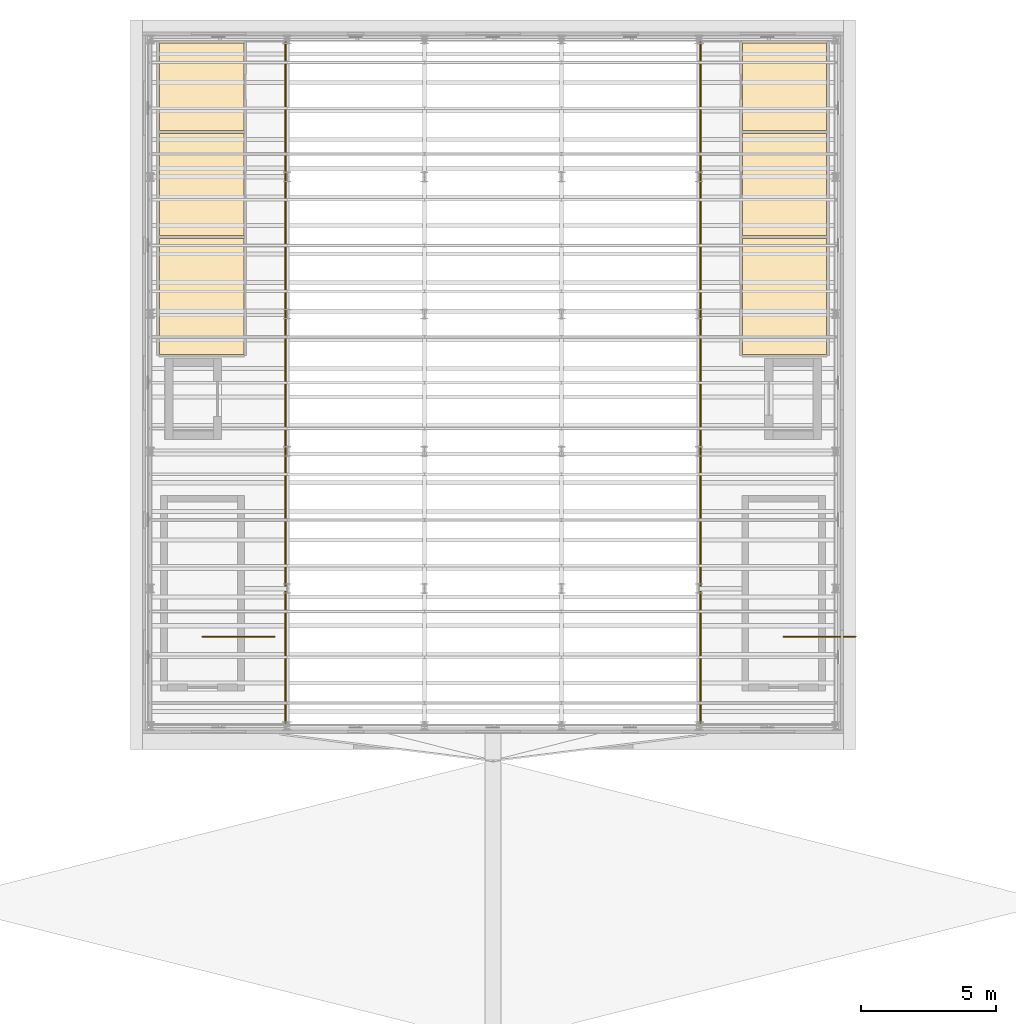
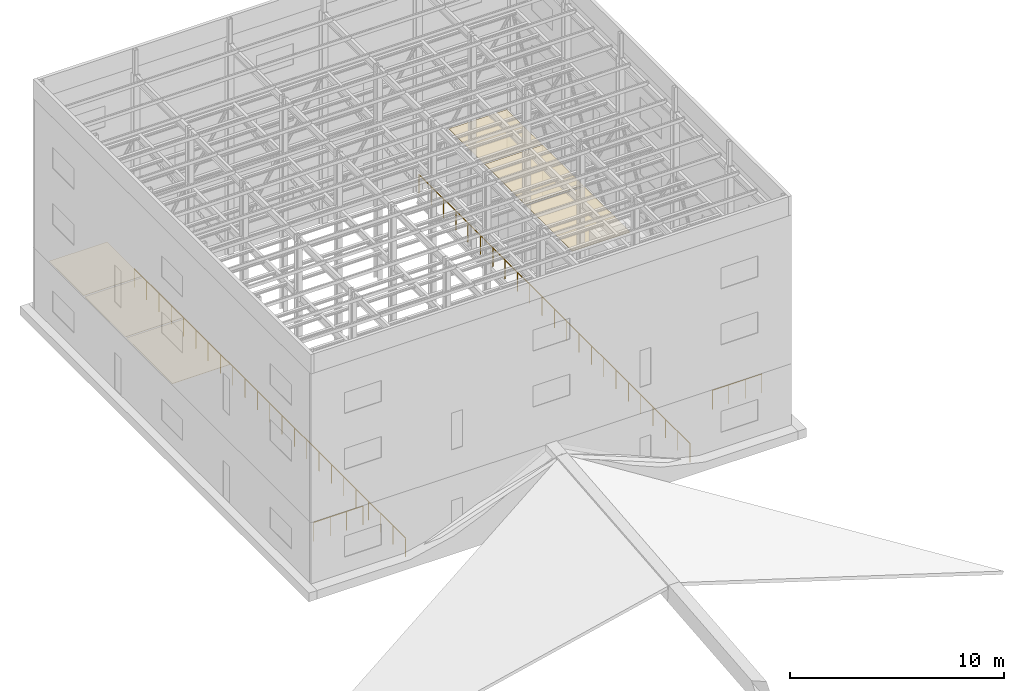
# One storey, part 22 of 22: 6 coverings, 4 railings.
"""IFC4 building model written with IfcOpenShell, lengths in metres."""

import ifcopenshell
import ifcopenshell.guid

model = None  # the IFC model being written
_history = None  # IfcOwnerHistory: only IFC2X3 demands one
_inside = {}  # id of a spatial element -> (the spatial element, [elements in it])
_under = {}  # id of a project, library or spatial element -> (it, [spatial elements below it])
_declared = {}  # id of a project -> (the project, [libraries it declares])
_typed = {}  # id of a type object -> (the type object, [elements of that type])
_made_of = {}  # id of a material, layer set ... -> (it, [elements and type objects made of it])


def new_model(schema):
    """Start an empty IFC model of exactly this schema.

    Asked for "IFC4X3", IfcOpenShell would pick the latest addendum, in which some entities
    have other attributes; the version numbers below select the first issue.
    IFC2X3 requires an IfcOwnerHistory on every rooted entity: one is made here for all.
    """
    global model, _history
    if schema == "IFC4X3":
        model = ifcopenshell.file(schema_version=(4, 3, 0, 0))
    else:
        model = ifcopenshell.file(schema=schema)
    _inside.clear()
    _under.clear()
    _declared.clear()
    _typed.clear()
    _made_of.clear()
    _history = None
    if model.schema == "IFC2X3":
        org = make("IfcOrganization", Name="unknown")
        user = make(
            "IfcPersonAndOrganization",
            ThePerson=make("IfcPerson", FamilyName="unknown"),
            TheOrganization=org,
        )
        app = make(
            "IfcApplication",
            ApplicationDeveloper=org,
            Version="unknown",
            ApplicationFullName="unknown",
            ApplicationIdentifier="unknown",
        )
        _history = make(
            "IfcOwnerHistory",
            OwningUser=user,
            OwningApplication=app,
            ChangeAction="ADDED",
            CreationDate=0,
        )
    return model


def make(cls, **values):
    """One entity of the class cls with the attributes given. An attribute that is None is left unset."""
    return model.create_entity(
        cls, **{name: value for name, value in values.items() if value is not None}
    )


def rooted(cls, **values):
    """An entity with a GlobalId (a new one), such as an element, a storey or a relation."""
    return make(cls, GlobalId=ifcopenshell.guid.new(), OwnerHistory=_history, **values)


def si_unit(unit_type, name, prefix=None):
    """IfcSIUnit, for example si_unit("LENGTHUNIT", "METRE", prefix="MILLI")."""
    return make("IfcSIUnit", UnitType=unit_type, Prefix=prefix, Name=name)


def assignment(units):
    """IfcUnitAssignment: the units of a project."""
    return None if units is None else make("IfcUnitAssignment", Units=units)


def point(xyz):
    """IfcCartesianPoint."""
    return None if xyz is None else make("IfcCartesianPoint", Coordinates=xyz)


def direction(xyz):
    """IfcDirection."""
    return None if xyz is None else make("IfcDirection", DirectionRatios=xyz)


def frame(location, z_axis=None, x_axis=None):
    """IfcAxis2Placement3D, a coordinate frame: its origin and axes. An axis left out is left unset."""
    return make(
        "IfcAxis2Placement3D",
        Location=point(location),
        Axis=direction(z_axis),
        RefDirection=direction(x_axis),
    )


def frame_2d(location, x_axis=None):
    """IfcAxis2Placement2D, a coordinate frame in the plane: its origin and x axis."""
    return make(
        "IfcAxis2Placement2D", Location=point(location), RefDirection=direction(x_axis)
    )


def origin():
    """The frame at (0, 0, 0) with its axes left unset."""
    return frame((0.0, 0.0, 0.0))


def origin_2d():
    """The frame at (0, 0) in the plane with its x axis left unset."""
    return frame_2d((0.0, 0.0))


def place(relative_to, where):
    """IfcLocalPlacement: puts the frame where relative to a parent placement (None: the world)."""
    return make(
        "IfcLocalPlacement", PlacementRelTo=relative_to, RelativePlacement=where
    )


def context(
    kind, dimensions, precision=None, world=None, true_north=None, identifier=None
):
    """IfcGeometricRepresentationContext, for example the 3D "Model" context."""
    return make(
        "IfcGeometricRepresentationContext",
        ContextIdentifier=identifier,
        ContextType=kind,
        CoordinateSpaceDimension=dimensions,
        Precision=precision,
        WorldCoordinateSystem=world,
        TrueNorth=true_north,
    )


def subcontext(parent, identifier, kind, view, scale=None):
    """IfcGeometricRepresentationSubContext, for example "Body" below "Model"."""
    return make(
        "IfcGeometricRepresentationSubContext",
        ContextIdentifier=identifier,
        ContextType=kind,
        ParentContext=parent,
        TargetScale=scale,
        TargetView=view,
    )


def project(units=None, contexts=None):
    """IfcProject with its units and contexts."""
    return rooted(
        "IfcProject",
        Name="project",
        RepresentationContexts=contexts,
        UnitsInContext=assignment(units),
    )


def spatial(cls, under=None, at=None, **own):
    """A site, building, storey or space (cls), placed at a placement, below another one or the project."""
    s = rooted(cls, ObjectPlacement=at, **own)
    if under is not None:
        _under.setdefault(under.id(), (under, []))[1].append(s)
    return s


def polyline(points):
    """IfcPolyline through the points."""
    return make("IfcPolyline", Points=[point(p) for p in points])


def profile(cls, at=None, kind="AREA", **sizes):
    """A parametric profile (cls). Its sizes go by their IFC names, for example OverallWidth=200.0."""
    return make(cls, ProfileType=kind, Position=at, **sizes)


def circle(**sizes):
    """IfcCircleProfileDef."""
    return profile("IfcCircleProfileDef", **sizes)


def outline(outer, holes=None, kind="AREA"):
    """IfcArbitraryClosedProfileDef: a profile drawn as a closed curve; with holes, ...WithVoids."""
    if holes is None:
        return make("IfcArbitraryClosedProfileDef", ProfileType=kind, OuterCurve=outer)
    return make(
        "IfcArbitraryProfileDefWithVoids",
        ProfileType=kind,
        OuterCurve=outer,
        InnerCurves=holes,
    )


def extrude(swept, where, along, depth):
    """IfcExtrudedAreaSolid: the profile swept, set in the frame where, extruded along a direction by depth."""
    return make(
        "IfcExtrudedAreaSolid",
        SweptArea=swept,
        Position=where,
        ExtrudedDirection=direction(along),
        Depth=depth,
    )


def shape(context_of_items, identifier, shape_type, items):
    """IfcShapeRepresentation: the items that make up one representation, for example the "Body"."""
    return make(
        "IfcShapeRepresentation",
        ContextOfItems=context_of_items,
        RepresentationIdentifier=identifier,
        RepresentationType=shape_type,
        Items=items,
    )


def material(Name=None, Category=None):
    """IfcMaterial."""
    return make("IfcMaterial", Name=Name, Category=Category)


def layer(
    of_material, thickness, ventilated=None, Name=None, Category=None, Priority=None
):
    """IfcMaterialLayer: one layer of a wall or slab, of a material (None: an air gap)."""
    return make(
        "IfcMaterialLayer",
        Material=of_material,
        LayerThickness=thickness,
        IsVentilated=ventilated,
        Name=Name,
        Category=Category,
        Priority=Priority,
    )


def layer_set(layers, Name=None):
    """IfcMaterialLayerSet."""
    return make("IfcMaterialLayerSet", MaterialLayers=layers, LayerSetName=Name)


def made_of(thing, what):
    """Note that an element or type object is made of a material, layer set ...; save() writes the relation."""
    if what is not None:
        _made_of.setdefault(what.id(), (what, []))[1].append(thing)
    return thing


def type_object(cls, material=None, **own):
    """A type object (cls), such as IfcWallType, which elements share."""
    return made_of(rooted(cls, **own), material)


def element(
    cls,
    number,
    at=None,
    inside=None,
    cuts=None,
    type_object=None,
    material=None,
    context=None,
    identifier="Body",
    shape_type=None,
    held_by="IfcProductDefinitionShape",
    body=None,
    shapes=None,
    **own,
):
    """One element of the class cls, such as IfcWall. Its Tag is "e" and its number.

    at: its placement. inside: the storey or other place that contains it. cuts: it is an
    opening in that element (IfcRelVoidsElement). A single representation is given by context,
    identifier, shape_type and body (its items); several are given by shapes. held_by: the class
    of the entity that holds the representations. save() writes the other relations.
    """
    e = rooted(cls, Tag="e%d" % number, ObjectPlacement=at, **own)
    if body is not None:
        shapes = [shape(context, identifier, shape_type, body)]
    if shapes is not None:
        e.Representation = make(held_by, Representations=shapes)
    if inside is not None:
        _inside.setdefault(inside.id(), (inside, []))[1].append(e)
    if cuts is not None:
        rooted(
            "IfcRelVoidsElement", RelatingBuildingElement=cuts, RelatedOpeningElement=e
        )
    if type_object is not None:
        _typed.setdefault(type_object.id(), (type_object, []))[1].append(e)
    return made_of(e, material)


def aggregate(whole, parts):
    """IfcRelAggregates: a whole, such as a stair, and the parts it consists of."""
    return rooted("IfcRelAggregates", RelatingObject=whole, RelatedObjects=parts)


def save(model, path):
    """Write the relations noted so far, then the file.

    IfcRelAggregates (storeys below a building ...), IfcRelContainedInSpatialStructure (elements
    in a storey), IfcRelDefinesByType, IfcRelAssociatesMaterial and IfcRelDeclares: one each for
    every whole, place, type object, material and project.
    """
    for whole, parts in _under.values():
        aggregate(whole, parts)
    for where, things in _inside.values():
        rooted(
            "IfcRelContainedInSpatialStructure",
            RelatedElements=things,
            RelatingStructure=where,
        )
    for kind, things in _typed.values():
        rooted("IfcRelDefinesByType", RelatedObjects=things, RelatingType=kind)
    for what, things in _made_of.values():
        rooted("IfcRelAssociatesMaterial", RelatedObjects=things, RelatingMaterial=what)
    for by, libraries in _declared.values():
        rooted("IfcRelDeclares", RelatingContext=by, RelatedDefinitions=libraries)
    model.write(path)


model = new_model("IFC4")

# Units and contexts
model_context = context("Model", 3, precision=1e-05, world=origin(), true_north=direction((0.0, 1.0)))
body_context = subcontext(model_context, "Body", "Model", "MODEL_VIEW")
ifc_project = project(units=[si_unit("LENGTHUNIT", "METRE"), si_unit("AREAUNIT", "SQUARE_METRE"), si_unit("VOLUMEUNIT", "CUBIC_METRE"), si_unit("PLANEANGLEUNIT", "RADIAN"), si_unit("MASSUNIT", "GRAM", prefix="KILO")], contexts=[model_context])

# Site, building, storey
site_placement = place(None, origin())
site = spatial("IfcSite", under=ifc_project, at=site_placement, CompositionType="ELEMENT")
building_placement = place(site_placement, origin())
building = spatial("IfcBuilding", under=site, at=building_placement, Name="Tide Square Theatres", CompositionType="ELEMENT")
storey_placement = place(building_placement, frame((0.0, 0.0, 24.0)))
storey = spatial("IfcBuildingStorey", under=building, at=storey_placement, Name="L05", CompositionType="ELEMENT", Elevation=24.0)

# Coverings
ifc_material_1 = material(Name="Mineral fibre")
ifc_layer = layer(ifc_material_1, 0.02001953125)
ifc_layer_set = layer_set([ifc_layer], Name="Mineral fibre")
covering_type = type_object("IfcCoveringType", Name="Mineral fibre ceiling tile", PredefinedType="CEILING", material=ifc_layer_set)
covering_1_placement = place(storey_placement, frame((0.0, 0.0, 3.199951171875)))
element("IfcCovering", 1, at=covering_1_placement, inside=storey, type_object=covering_type, Name="Fly Tower Control Room ceiling", PredefinedType="CEILING", context=body_context, shape_type="SweptSolid", body=[
    extrude(outline(polyline([(74.756103515625, 70.050048828125), (74.756103515625, 74.35009765625), (71.6259765625, 74.35009765625), (71.6259765625, 70.050048828125), (74.756103515625, 70.050048828125)])), origin(), (0.0, 0.0, 1.0), 0.02001953125),
])
covering_2_placement = place(storey_placement, frame((0.0, 0.0, 3.199951171875)))
element("IfcCovering", 2, at=covering_2_placement, inside=storey, type_object=covering_type, Name="Sound Control Room ceiling", PredefinedType="CEILING", context=body_context, shape_type="SweptSolid", body=[
    extrude(outline(polyline([(74.756103515625, 74.449951171875), (74.756103515625, 78.25), (71.6259765625, 78.25), (71.6259765625, 74.449951171875), (74.756103515625, 74.449951171875)])), origin(), (0.0, 0.0, 1.0), 0.02001953125),
])
covering_3_placement = place(storey_placement, frame((0.0, 0.0, 3.199951171875)))
element("IfcCovering", 3, at=covering_3_placement, inside=storey, type_object=covering_type, Name="Costume Repair Room ceiling", PredefinedType="CEILING", context=body_context, shape_type="SweptSolid", body=[
    extrude(outline(polyline([(74.756103515625, 78.35009765625), (74.756103515625, 81.593994140625), (71.6259765625, 81.593994140625), (71.6259765625, 78.35009765625), (74.756103515625, 78.35009765625)])), origin(), (0.0, 0.0, 1.0), 0.02001953125),
])
covering_4_placement = place(storey_placement, frame((0.0, 0.0, 3.199951171875)))
element("IfcCovering", 4, at=covering_4_placement, inside=storey, type_object=covering_type, Name="Rigging Workshop ceiling", PredefinedType="CEILING", context=body_context, shape_type="SweptSolid", body=[
    extrude(outline(polyline([(96.3740234375, 70.050048828125), (96.3740234375, 74.35009765625), (93.243896484375, 74.35009765625), (93.243896484375, 70.050048828125), (96.3740234375, 70.050048828125)])), origin(), (0.0, 0.0, 1.0), 0.02001953125),
])
covering_5_placement = place(storey_placement, frame((0.0, 0.0, 3.199951171875)))
element("IfcCovering", 5, at=covering_5_placement, inside=storey, type_object=covering_type, Name="Counterweight Control Room ceiling", PredefinedType="CEILING", context=body_context, shape_type="SweptSolid", body=[
    extrude(outline(polyline([(96.3740234375, 74.449951171875), (96.3740234375, 78.25), (93.243896484375, 78.25), (93.243896484375, 74.449951171875), (96.3740234375, 74.449951171875)])), origin(), (0.0, 0.0, 1.0), 0.02001953125),
])
covering_6_placement = place(storey_placement, frame((0.0, 0.0, 3.199951171875)))
element("IfcCovering", 6, at=covering_6_placement, inside=storey, type_object=covering_type, Name="Safety Training Room ceiling", PredefinedType="CEILING", context=body_context, shape_type="SweptSolid", body=[
    extrude(outline(polyline([(96.3740234375, 78.35009765625), (96.3740234375, 81.593994140625), (93.243896484375, 81.593994140625), (93.243896484375, 78.35009765625), (96.3740234375, 78.35009765625)])), origin(), (0.0, 0.0, 1.0), 0.02001953125),
])

# Railings
ifc_material_2 = material(Name="Painted steel", Category="steel")
railing_type = type_object("IfcRailingType", Name="Steel guard 1100", PredefinedType="GUARDRAIL", material=ifc_material_2)
railing_1_placement = place(storey_placement, frame((75.89599609375, 59.580322265625, 0.0)))
element("IfcRailing", 7, at=railing_1_placement, inside=storey, type_object=railing_type, Name="Fly Tower stair 11 well guard", PredefinedType="GUARDRAIL", context=body_context, shape_type="SweptSolid", body=[
    extrude(circle(Radius=0.02490234375, at=origin_2d()), frame((0.0, 0.0, 1.0751953125), z_axis=(-1.0, 0.0, 0.0), x_axis=(0.0, -1.0, 0.0)), (0.0, 0.0, 1.0), 2.669921875),
    extrude(circle(Radius=0.02001953125, at=origin_2d()), origin(), (0.0, 0.0, 1.0), 1.050048828125),
    extrude(circle(Radius=0.02001953125, at=origin_2d()), frame((-0.889892578125, 0.0, 0.0)), (0.0, 0.0, 1.0), 1.050048828125),
    extrude(circle(Radius=0.02001953125, at=origin_2d()), frame((-1.780029296875, 0.0, 0.0)), (0.0, 0.0, 1.0), 1.050048828125),
    extrude(circle(Radius=0.02001953125, at=origin_2d()), frame((-2.669921875, 0.0, 0.0)), (0.0, 0.0, 1.0), 1.050048828125),
])
railing_2_placement = place(storey_placement, frame((97.444091796875, 59.580322265625, 0.0)))
element("IfcRailing", 8, at=railing_2_placement, inside=storey, type_object=railing_type, Name="Fly Tower stair 12 well guard", PredefinedType="GUARDRAIL", context=body_context, shape_type="SweptSolid", body=[
    extrude(circle(Radius=0.02490234375, at=origin_2d()), frame((0.0, 0.0, 1.0751953125), z_axis=(-1.0, 0.0, 0.0), x_axis=(0.0, -1.0, 0.0)), (0.0, 0.0, 1.0), 2.670166015625),
    extrude(circle(Radius=0.02001953125, at=origin_2d()), origin(), (0.0, 0.0, 1.0), 1.050048828125),
    extrude(circle(Radius=0.02001953125, at=origin_2d()), frame((-0.89013671875, 0.0, 0.0)), (0.0, 0.0, 1.0), 1.050048828125),
    extrude(circle(Radius=0.02001953125, at=origin_2d()), frame((-1.780029296875, 0.0, 0.0)), (0.0, 0.0, 1.0), 1.050048828125),
    extrude(circle(Radius=0.02001953125, at=origin_2d()), frame((-2.670166015625, 0.0, 0.0)), (0.0, 0.0, 1.0), 1.050048828125),
])
railing_3_placement = place(storey_placement, frame((76.3056640625, 56.3359375, 0.0)))
element("IfcRailing", 9, at=railing_3_placement, inside=storey, type_object=railing_type, Name="Fly gallery 05 west guard", PredefinedType="GUARDRAIL", context=body_context, shape_type="SweptSolid", body=[
    extrude(circle(Radius=0.02490234375, at=origin_2d()), frame((0.0, 0.0, 1.0751953125), z_axis=(0.0, 1.0, 0.0), x_axis=(-1.0, 0.0, 0.0)), (0.0, 0.0, 1.0), 25.38818359375),
    extrude(circle(Radius=0.02001953125, at=origin_2d()), origin(), (0.0, 0.0, 1.0), 1.050048828125),
    extrude(circle(Radius=0.02001953125, at=origin_2d()), frame((0.0, 1.154052734375, 0.0)), (0.0, 0.0, 1.0), 1.050048828125),
    extrude(circle(Radius=0.02001953125, at=origin_2d()), frame((0.0, 2.30810546875, 0.0)), (0.0, 0.0, 1.0), 1.050048828125),
    extrude(circle(Radius=0.02001953125, at=origin_2d()), frame((0.0, 3.4619140625, 0.0)), (0.0, 0.0, 1.0), 1.050048828125),
    extrude(circle(Radius=0.02001953125, at=origin_2d()), frame((0.0, 4.615966796875, 0.0)), (0.0, 0.0, 1.0), 1.050048828125),
    extrude(circle(Radius=0.02001953125, at=origin_2d()), frame((0.0, 5.77001953125, 0.0)), (0.0, 0.0, 1.0), 1.050048828125),
    extrude(circle(Radius=0.02001953125, at=origin_2d()), frame((0.0, 6.924072265625, 0.0)), (0.0, 0.0, 1.0), 1.050048828125),
    extrude(circle(Radius=0.02001953125, at=origin_2d()), frame((0.0, 8.078125, 0.0)), (0.0, 0.0, 1.0), 1.050048828125),
    extrude(circle(Radius=0.02001953125, at=origin_2d()), frame((0.0, 9.232177734375, 0.0)), (0.0, 0.0, 1.0), 1.050048828125),
    extrude(circle(Radius=0.02001953125, at=origin_2d()), frame((0.0, 10.385986328125, 0.0)), (0.0, 0.0, 1.0), 1.050048828125),
    extrude(circle(Radius=0.02001953125, at=origin_2d()), frame((0.0, 11.5400390625, 0.0)), (0.0, 0.0, 1.0), 1.050048828125),
    extrude(circle(Radius=0.02001953125, at=origin_2d()), frame((0.0, 12.694091796875, 0.0)), (0.0, 0.0, 1.0), 1.050048828125),
    extrude(circle(Radius=0.02001953125, at=origin_2d()), frame((0.0, 13.84814453125, 0.0)), (0.0, 0.0, 1.0), 1.050048828125),
    extrude(circle(Radius=0.02001953125, at=origin_2d()), frame((0.0, 15.002197265625, 0.0)), (0.0, 0.0, 1.0), 1.050048828125),
    extrude(circle(Radius=0.02001953125, at=origin_2d()), frame((0.0, 16.156005859375, 0.0)), (0.0, 0.0, 1.0), 1.050048828125),
    extrude(circle(Radius=0.02001953125, at=origin_2d()), frame((0.0, 17.31005859375, 0.0)), (0.0, 0.0, 1.0), 1.050048828125),
    extrude(circle(Radius=0.02001953125, at=origin_2d()), frame((0.0, 18.464111328125, 0.0)), (0.0, 0.0, 1.0), 1.050048828125),
    extrude(circle(Radius=0.02001953125, at=origin_2d()), frame((0.0, 19.6181640625, 0.0)), (0.0, 0.0, 1.0), 1.050048828125),
    extrude(circle(Radius=0.02001953125, at=origin_2d()), frame((0.0, 20.772216796875, 0.0)), (0.0, 0.0, 1.0), 1.050048828125),
    extrude(circle(Radius=0.02001953125, at=origin_2d()), frame((0.0, 21.92626953125, 0.0)), (0.0, 0.0, 1.0), 1.050048828125),
    extrude(circle(Radius=0.02001953125, at=origin_2d()), frame((0.0, 23.080078125, 0.0)), (0.0, 0.0, 1.0), 1.050048828125),
    extrude(circle(Radius=0.02001953125, at=origin_2d()), frame((0.0, 24.234130859375, 0.0)), (0.0, 0.0, 1.0), 1.050048828125),
    extrude(circle(Radius=0.02001953125, at=origin_2d()), frame((0.0, 25.38818359375, 0.0)), (0.0, 0.0, 1.0), 1.050048828125),
])
railing_4_placement = place(storey_placement, frame((91.6943359375, 56.3359375, 0.0)))
element("IfcRailing", 10, at=railing_4_placement, inside=storey, type_object=railing_type, Name="Fly gallery 05 east guard", PredefinedType="GUARDRAIL", context=body_context, shape_type="SweptSolid", body=[
    extrude(circle(Radius=0.02490234375, at=origin_2d()), frame((0.0, 0.0, 1.0751953125), z_axis=(0.0, 1.0, 0.0), x_axis=(-1.0, 0.0, 0.0)), (0.0, 0.0, 1.0), 25.38818359375),
    extrude(circle(Radius=0.02001953125, at=origin_2d()), origin(), (0.0, 0.0, 1.0), 1.050048828125),
    extrude(circle(Radius=0.02001953125, at=origin_2d()), frame((0.0, 1.154052734375, 0.0)), (0.0, 0.0, 1.0), 1.050048828125),
    extrude(circle(Radius=0.02001953125, at=origin_2d()), frame((0.0, 2.30810546875, 0.0)), (0.0, 0.0, 1.0), 1.050048828125),
    extrude(circle(Radius=0.02001953125, at=origin_2d()), frame((0.0, 3.4619140625, 0.0)), (0.0, 0.0, 1.0), 1.050048828125),
    extrude(circle(Radius=0.02001953125, at=origin_2d()), frame((0.0, 4.615966796875, 0.0)), (0.0, 0.0, 1.0), 1.050048828125),
    extrude(circle(Radius=0.02001953125, at=origin_2d()), frame((0.0, 5.77001953125, 0.0)), (0.0, 0.0, 1.0), 1.050048828125),
    extrude(circle(Radius=0.02001953125, at=origin_2d()), frame((0.0, 6.924072265625, 0.0)), (0.0, 0.0, 1.0), 1.050048828125),
    extrude(circle(Radius=0.02001953125, at=origin_2d()), frame((0.0, 8.078125, 0.0)), (0.0, 0.0, 1.0), 1.050048828125),
    extrude(circle(Radius=0.02001953125, at=origin_2d()), frame((0.0, 9.232177734375, 0.0)), (0.0, 0.0, 1.0), 1.050048828125),
    extrude(circle(Radius=0.02001953125, at=origin_2d()), frame((0.0, 10.385986328125, 0.0)), (0.0, 0.0, 1.0), 1.050048828125),
    extrude(circle(Radius=0.02001953125, at=origin_2d()), frame((0.0, 11.5400390625, 0.0)), (0.0, 0.0, 1.0), 1.050048828125),
    extrude(circle(Radius=0.02001953125, at=origin_2d()), frame((0.0, 12.694091796875, 0.0)), (0.0, 0.0, 1.0), 1.050048828125),
    extrude(circle(Radius=0.02001953125, at=origin_2d()), frame((0.0, 13.84814453125, 0.0)), (0.0, 0.0, 1.0), 1.050048828125),
    extrude(circle(Radius=0.02001953125, at=origin_2d()), frame((0.0, 15.002197265625, 0.0)), (0.0, 0.0, 1.0), 1.050048828125),
    extrude(circle(Radius=0.02001953125, at=origin_2d()), frame((0.0, 16.156005859375, 0.0)), (0.0, 0.0, 1.0), 1.050048828125),
    extrude(circle(Radius=0.02001953125, at=origin_2d()), frame((0.0, 17.31005859375, 0.0)), (0.0, 0.0, 1.0), 1.050048828125),
    extrude(circle(Radius=0.02001953125, at=origin_2d()), frame((0.0, 18.464111328125, 0.0)), (0.0, 0.0, 1.0), 1.050048828125),
    extrude(circle(Radius=0.02001953125, at=origin_2d()), frame((0.0, 19.6181640625, 0.0)), (0.0, 0.0, 1.0), 1.050048828125),
    extrude(circle(Radius=0.02001953125, at=origin_2d()), frame((0.0, 20.772216796875, 0.0)), (0.0, 0.0, 1.0), 1.050048828125),
    extrude(circle(Radius=0.02001953125, at=origin_2d()), frame((0.0, 21.92626953125, 0.0)), (0.0, 0.0, 1.0), 1.050048828125),
    extrude(circle(Radius=0.02001953125, at=origin_2d()), frame((0.0, 23.080078125, 0.0)), (0.0, 0.0, 1.0), 1.050048828125),
    extrude(circle(Radius=0.02001953125, at=origin_2d()), frame((0.0, 24.234130859375, 0.0)), (0.0, 0.0, 1.0), 1.050048828125),
    extrude(circle(Radius=0.02001953125, at=origin_2d()), frame((0.0, 25.38818359375, 0.0)), (0.0, 0.0, 1.0), 1.050048828125),
])

save(model, "model.ifc")
